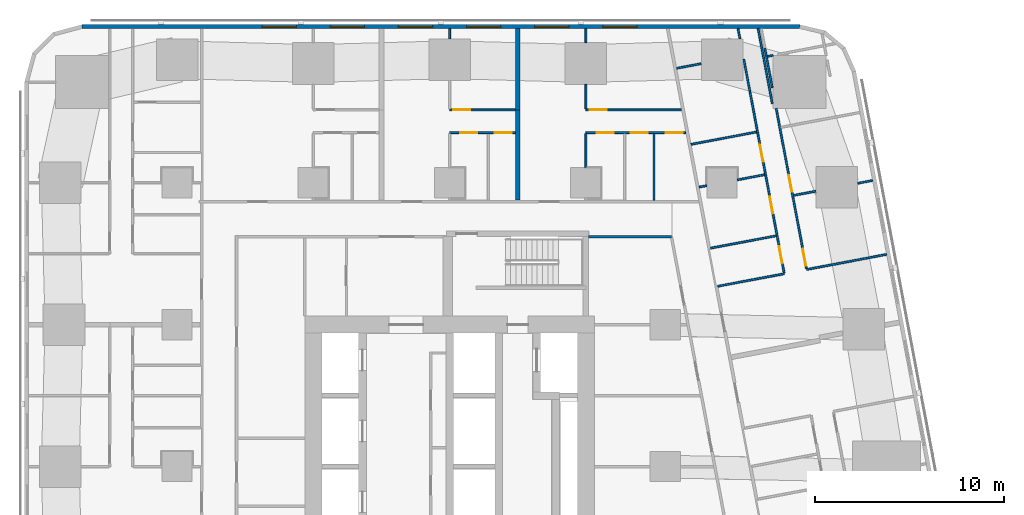
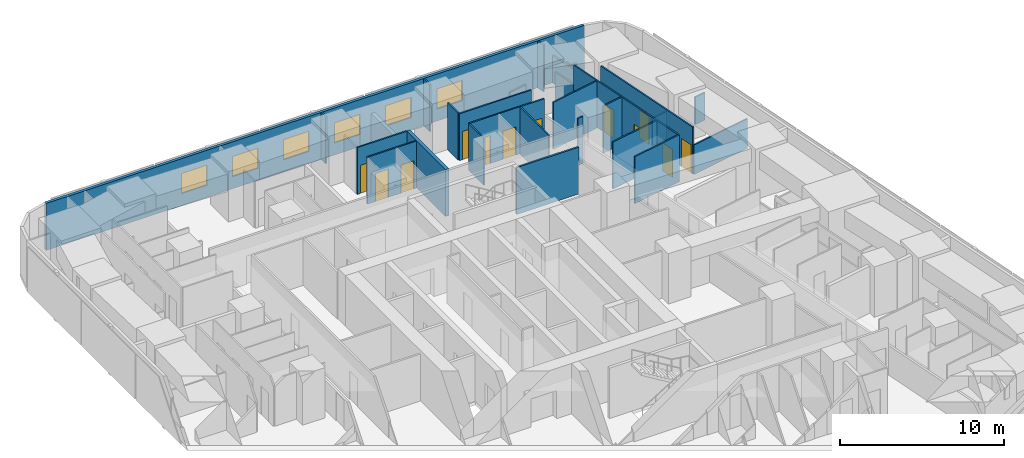
# One storey, part 11 of 16: 29 walls, 12 doors, 6 windows, 18 openings.
"""IFC4 building model written with IfcOpenShell, lengths in metres."""

from ifc_helpers import new_model, si_unit, direction, frame, frame_2d, origin, place, context, subcontext, project, spatial, rectangle, extrude, material, layer, layer_set, type_object, element, fill, save


model = new_model("IFC4")

# Units and contexts
model_context = context("Model", 3, precision=1e-05, world=origin(), true_north=direction((0.0, 1.0)))
body_context = subcontext(model_context, "Body", "Model", "MODEL_VIEW")
ifc_project = project(units=[si_unit("LENGTHUNIT", "METRE"), si_unit("AREAUNIT", "SQUARE_METRE"), si_unit("VOLUMEUNIT", "CUBIC_METRE"), si_unit("PLANEANGLEUNIT", "RADIAN"), si_unit("MASSUNIT", "GRAM", prefix="KILO")], contexts=[model_context])

# Site, building, storey
site_placement = place(None, origin())
site = spatial("IfcSite", under=ifc_project, at=site_placement, CompositionType="ELEMENT")
building_placement = place(site_placement, origin())
building = spatial("IfcBuilding", under=site, at=building_placement, Name="Sheger Commons Tower", CompositionType="ELEMENT")
storey_placement = place(building_placement, frame((0.0, 0.0, 92.89990234375)))
storey = spatial("IfcBuildingStorey", under=building, at=storey_placement, Name="L23", CompositionType="ELEMENT", Elevation=92.89990234375)

# Walls
ifc_material_1 = material(Name="Dense concrete block masonry, plastered both sides (separating wall between flats)", Category="masonry")
ifc_layer_1 = layer(ifc_material_1, 0.25)
ifc_layer_set_1 = layer_set([ifc_layer_1], Name="DEMISING WALL 250")
wall_type_1 = type_object("IfcWallType", Name="DEMISING WALL 250", PredefinedType="SOLIDWALL", material=ifc_layer_set_1)
wall_1_placement = place(storey_placement, frame((25.199951171875, 41.35009765625, 0.0), z_axis=(0.0, 0.0, 1.0), x_axis=(0.0, 1.0, 0.0)))
element("IfcWall", 1, at=wall_1_placement, inside=storey, type_object=wall_type_1, Name="Demising wall L23", PredefinedType="SOLIDWALL", context=body_context, shape_type="SweptSolid", body=[
    extrude(rectangle(XDim=4.2998046875, YDim=0.25, at=frame_2d((2.14990234375, 0.0))), origin(), (0.0, 0.0, 1.0), 2.2001953125),
])
wall_2_placement = place(storey_placement, frame((25.199951171875, 36.574951171875, 0.0), z_axis=(0.0, 0.0, 1.0), x_axis=(0.0, 1.0, 0.0)))
element("IfcWall", 2, at=wall_2_placement, inside=storey, type_object=wall_type_1, Name="Demising wall L23", PredefinedType="SOLIDWALL", context=body_context, shape_type="SweptSolid", body=[
    extrude(rectangle(XDim=4.775146484375, YDim=0.25, at=frame_2d((2.3876953125, 0.0))), origin(), (0.0, 0.0, 1.0), 3.5),
])

# Wall, openings, windows
ifc_material_2 = material(Name="Rendered concrete block masonry, dark grey", Category="masonry")
ifc_layer_2 = layer(ifc_material_2, 0.199951171875)
ifc_layer_set_2 = layer_set([ifc_layer_2], Name="FACADE WALL 200")
wall_type_2 = type_object("IfcWallType", Name="FACADE WALL 200", PredefinedType="SOLIDWALL", material=ifc_layer_set_2)
wall_3_placement = place(storey_placement, frame((40.10595703125, 45.75, 0.0), z_axis=(0.0, 0.0, 1.0), x_axis=(-1.0, 0.0, 0.0)))
wall_3 = element("IfcWall", 3, at=wall_3_placement, inside=storey, type_object=wall_type_2, Name="Facade wall L23", PredefinedType="SOLIDWALL", context=body_context, shape_type="SweptSolid", body=[
    extrude(rectangle(XDim=37.94287109375, YDim=0.199951171875, at=frame_2d((18.971435546875, 0.0))), origin(), (0.0, 0.0, 1.0), 3.5),
])
opening_1_placement = place(wall_3_placement, frame((8.60595703125, 0.0, 0.89990234375)))
opening_1 = element("IfcOpeningElement", 4, at=opening_1_placement, cuts=wall_3, Name="Opening W2", PredefinedType="OPENING", context=body_context, shape_type="SweptSolid", body=[
    extrude(rectangle(XDim=1.800048828125, YDim=1.5, at=frame_2d((0.89990234375, 0.75))), frame((0.0, 0.10986328125, 0.0), z_axis=(0.0, -1.0, 0.0), x_axis=(1.0, 0.0, 0.0)), (0.0, 0.0, 1.0), 0.219970703125),
])
opening_2_placement = place(wall_3_placement, frame((12.2060546875, 0.0, 0.89990234375)))
opening_2 = element("IfcOpeningElement", 5, at=opening_2_placement, cuts=wall_3, Name="Opening W2", PredefinedType="OPENING", context=body_context, shape_type="SweptSolid", body=[
    extrude(rectangle(XDim=1.800048828125, YDim=1.5, at=frame_2d((0.89990234375, 0.75))), frame((0.0, 0.10986328125, 0.0), z_axis=(0.0, -1.0, 0.0), x_axis=(1.0, 0.0, 0.0)), (0.0, 0.0, 1.0), 0.219970703125),
])
opening_3_placement = place(wall_3_placement, frame((15.805908203125, 0.0, 0.89990234375)))
opening_3 = element("IfcOpeningElement", 6, at=opening_3_placement, cuts=wall_3, Name="Opening W2", PredefinedType="OPENING", context=body_context, shape_type="SweptSolid", body=[
    extrude(rectangle(XDim=1.800048828125, YDim=1.5, at=frame_2d((0.89990234375, 0.75))), frame((0.0, 0.10986328125, 0.0), z_axis=(0.0, -1.0, 0.0), x_axis=(1.0, 0.0, 0.0)), (0.0, 0.0, 1.0), 0.219970703125),
])
opening_4_placement = place(wall_3_placement, frame((19.406005859375, 0.0, 0.89990234375)))
opening_4 = element("IfcOpeningElement", 7, at=opening_4_placement, cuts=wall_3, Name="Opening W2", PredefinedType="OPENING", context=body_context, shape_type="SweptSolid", body=[
    extrude(rectangle(XDim=1.800048828125, YDim=1.5, at=frame_2d((0.89990234375, 0.75))), frame((0.0, 0.10986328125, 0.0), z_axis=(0.0, -1.0, 0.0), x_axis=(1.0, 0.0, 0.0)), (0.0, 0.0, 1.0), 0.219970703125),
])
opening_5_placement = place(wall_3_placement, frame((23.006103515625, 0.0, 0.89990234375)))
opening_5 = element("IfcOpeningElement", 8, at=opening_5_placement, cuts=wall_3, Name="Opening W2", PredefinedType="OPENING", context=body_context, shape_type="SweptSolid", body=[
    extrude(rectangle(XDim=1.800048828125, YDim=1.5, at=frame_2d((0.89990234375, 0.75))), frame((0.0, 0.10986328125, 0.0), z_axis=(0.0, -1.0, 0.0), x_axis=(1.0, 0.0, 0.0)), (0.0, 0.0, 1.0), 0.219970703125),
])
opening_6_placement = place(wall_3_placement, frame((26.60595703125, 0.0, 0.89990234375)))
opening_6 = element("IfcOpeningElement", 9, at=opening_6_placement, cuts=wall_3, Name="Opening W2", PredefinedType="OPENING", context=body_context, shape_type="SweptSolid", body=[
    extrude(rectangle(XDim=1.800048828125, YDim=1.5, at=frame_2d((0.89990234375, 0.75))), frame((0.0, 0.10986328125, 0.0), z_axis=(0.0, -1.0, 0.0), x_axis=(1.0, 0.0, 0.0)), (0.0, 0.0, 1.0), 0.219970703125),
])
ifc_material_3 = material(Name="Black aluminium frame, dark tinted double glazing", Category="aluminium")
window_type = type_object("IfcWindowType", Name="WINDOW W2 1800x1500", PartitioningType="SINGLE_PANEL", PredefinedType="WINDOW", material=ifc_material_3)
window_1_placement = place(opening_1_placement, origin())
window_1 = element("IfcWindow", 10, at=window_1_placement, inside=storey, type_object=window_type, Name="Window W2 1800X1500", OverallHeight=1.5, OverallWidth=1.800048828125, PartitioningType="SINGLE_PANEL", PredefinedType="WINDOW", context=body_context, shape_type="SweptSolid", body=[
    extrude(rectangle(XDim=1.800048828125, YDim=1.5, at=frame_2d((0.89990234375, 0.75))), frame((0.0, 0.030029296875, 0.0), z_axis=(0.0, -1.0, 0.0), x_axis=(1.0, 0.0, 0.0)), (0.0, 0.0, 1.0), 0.06005859375),
])
fill(opening_1, window_1)
window_2_placement = place(opening_2_placement, origin())
window_2 = element("IfcWindow", 11, at=window_2_placement, inside=storey, type_object=window_type, Name="Window W2 1800X1500", OverallHeight=1.5, OverallWidth=1.800048828125, PartitioningType="SINGLE_PANEL", PredefinedType="WINDOW", context=body_context, shape_type="SweptSolid", body=[
    extrude(rectangle(XDim=1.800048828125, YDim=1.5, at=frame_2d((0.89990234375, 0.75))), frame((0.0, 0.030029296875, 0.0), z_axis=(0.0, -1.0, 0.0), x_axis=(1.0, 0.0, 0.0)), (0.0, 0.0, 1.0), 0.06005859375),
])
fill(opening_2, window_2)
window_3_placement = place(opening_3_placement, origin())
window_3 = element("IfcWindow", 12, at=window_3_placement, inside=storey, type_object=window_type, Name="Window W2 1800X1500", OverallHeight=1.5, OverallWidth=1.800048828125, PartitioningType="SINGLE_PANEL", PredefinedType="WINDOW", context=body_context, shape_type="SweptSolid", body=[
    extrude(rectangle(XDim=1.800048828125, YDim=1.5, at=frame_2d((0.89990234375, 0.75))), frame((0.0, 0.030029296875, 0.0), z_axis=(0.0, -1.0, 0.0), x_axis=(1.0, 0.0, 0.0)), (0.0, 0.0, 1.0), 0.06005859375),
])
fill(opening_3, window_3)
window_4_placement = place(opening_4_placement, origin())
window_4 = element("IfcWindow", 13, at=window_4_placement, inside=storey, type_object=window_type, Name="Window W2 1800X1500", OverallHeight=1.5, OverallWidth=1.800048828125, PartitioningType="SINGLE_PANEL", PredefinedType="WINDOW", context=body_context, shape_type="SweptSolid", body=[
    extrude(rectangle(XDim=1.800048828125, YDim=1.5, at=frame_2d((0.89990234375, 0.75))), frame((0.0, 0.030029296875, 0.0), z_axis=(0.0, -1.0, 0.0), x_axis=(1.0, 0.0, 0.0)), (0.0, 0.0, 1.0), 0.06005859375),
])
fill(opening_4, window_4)
window_5_placement = place(opening_5_placement, origin())
window_5 = element("IfcWindow", 14, at=window_5_placement, inside=storey, type_object=window_type, Name="Window W2 1800X1500", OverallHeight=1.5, OverallWidth=1.800048828125, PartitioningType="SINGLE_PANEL", PredefinedType="WINDOW", context=body_context, shape_type="SweptSolid", body=[
    extrude(rectangle(XDim=1.800048828125, YDim=1.5, at=frame_2d((0.89990234375, 0.75))), frame((0.0, 0.030029296875, 0.0), z_axis=(0.0, -1.0, 0.0), x_axis=(1.0, 0.0, 0.0)), (0.0, 0.0, 1.0), 0.06005859375),
])
fill(opening_5, window_5)
window_6_placement = place(opening_6_placement, origin())
window_6 = element("IfcWindow", 15, at=window_6_placement, inside=storey, type_object=window_type, Name="Window W2 1800X1500", OverallHeight=1.5, OverallWidth=1.800048828125, PartitioningType="SINGLE_PANEL", PredefinedType="WINDOW", context=body_context, shape_type="SweptSolid", body=[
    extrude(rectangle(XDim=1.800048828125, YDim=1.5, at=frame_2d((0.89990234375, 0.75))), frame((0.0, 0.030029296875, 0.0), z_axis=(0.0, -1.0, 0.0), x_axis=(1.0, 0.0, 0.0)), (0.0, 0.0, 1.0), 0.06005859375),
])
fill(opening_6, window_6)

# Walls
ifc_material_4 = material(Name="Gypsum board on steel studs", Category="steel")
ifc_layer_3 = layer(ifc_material_4, 0.10009765625)
ifc_layer_set_3 = layer_set([ifc_layer_3], Name="PARTITION 100")
wall_type_3 = type_object("IfcWallType", Name="PARTITION 100", PredefinedType="PARTITIONING", material=ifc_layer_set_3)
wall_4_placement = place(storey_placement, frame((38.654052734375, 41.68603515625, 0.0), z_axis=(0.0, 0.0, 1.0), x_axis=(-0.185676896978, 0.982610853761, 0.0)))
element("IfcWall", 16, at=wall_4_placement, inside=storey, type_object=wall_type_3, Name="Partition L23", PredefinedType="PARTITIONING", context=body_context, shape_type="SweptSolid", body=[
    extrude(rectangle(XDim=4.033935546875, YDim=0.10009765625, at=frame_2d((2.01708984375, 0.0))), origin(), (0.0, 0.0, 1.0), 2.050048828125),
])
wall_5_placement = place(storey_placement, frame((38.256103515625, 44.6279296875, 0.0), z_axis=(0.0, 0.0, 1.0), x_axis=(0.185757524649, -0.982595614704, 0.0)))
element("IfcWall", 17, at=wall_5_placement, inside=storey, type_object=wall_type_3, Name="Partition L23", PredefinedType="PARTITIONING", context=body_context, shape_type="SweptSolid", body=[
    extrude(rectangle(XDim=2.136962890625, YDim=0.10009765625, at=frame_2d((1.068359375, 0.0))), origin(), (0.0, 0.0, 1.0), 2.050048828125),
])

# Wall, openings, doors
wall_6_placement = place(storey_placement, frame((38.862060546875, 41.419921875, 0.0), z_axis=(0.0, 0.0, 1.0), x_axis=(0.185574815416, -0.982630137887, 0.0)))
wall_6 = element("IfcWall", 18, at=wall_6_placement, inside=storey, type_object=wall_type_3, Name="Partition L23", PredefinedType="PARTITIONING", context=body_context, shape_type="SweptSolid", body=[
    extrude(rectangle(XDim=8.605224609375, YDim=0.10009765625, at=frame_2d((4.302734375, 0.0))), origin(), (0.0, 0.0, 1.0), 3.5),
])
opening_7_placement = place(wall_6_placement, frame((7.554931640625, 0.0, 0.0)))
opening_7 = element("IfcOpeningElement", 19, at=opening_7_placement, cuts=wall_6, Name="Opening D2", PredefinedType="OPENING", context=body_context, shape_type="SweptSolid", body=[
    extrude(rectangle(XDim=0.89990234375, YDim=2.10009765625, at=frame_2d((0.449951171875, 1.050048828125))), frame((0.0, 0.06005859375, 0.0), z_axis=(0.0, -1.0, 0.0), x_axis=(1.0, 0.0, 0.0)), (0.0, 0.0, 1.0), 0.1201171875),
])
opening_8_placement = place(wall_6_placement, frame((3.5791015625, 0.0, 0.0)))
opening_8 = element("IfcOpeningElement", 20, at=opening_8_placement, cuts=wall_6, Name="Opening D2", PredefinedType="OPENING", context=body_context, shape_type="SweptSolid", body=[
    extrude(rectangle(XDim=0.89990234375, YDim=2.10009765625, at=frame_2d((0.449951171875, 1.050048828125))), frame((0.0, 0.06005859375, 0.0), z_axis=(0.0, -1.0, 0.0), x_axis=(1.0, 0.0, 0.0)), (0.0, 0.0, 1.0), 0.1201171875),
])
ifc_material_5 = material(Name="Timber door set", Category="wood")
door_type = type_object("IfcDoorType", Name="INTERNAL DOOR 900x2100", OperationType="NOTDEFINED", PredefinedType="DOOR", material=ifc_material_5)
door_1_placement = place(opening_7_placement, origin())
door_1 = element("IfcDoor", 21, at=door_1_placement, inside=storey, type_object=door_type, Name="Main bedroom door", OperationType="SINGLE_SWING_RIGHT", OverallHeight=2.10009765625, OverallWidth=0.89990234375, PredefinedType="DOOR", context=body_context, shape_type="SweptSolid", body=[
    extrude(rectangle(XDim=0.89990234375, YDim=2.10009765625, at=frame_2d((0.449951171875, 1.050048828125))), frame((0.0, 0.02490234375, 0.0), z_axis=(0.0, -1.0, 0.0), x_axis=(1.0, 0.0, 0.0)), (0.0, 0.0, 1.0), 0.050048828125),
])
fill(opening_7, door_1)
door_2_placement = place(opening_8_placement, origin())
door_2 = element("IfcDoor", 22, at=door_2_placement, inside=storey, type_object=door_type, Name="Bedroom 2 door", OperationType="SINGLE_SWING_RIGHT", OverallHeight=2.10009765625, OverallWidth=0.89990234375, PredefinedType="DOOR", context=body_context, shape_type="SweptSolid", body=[
    extrude(rectangle(XDim=0.89990234375, YDim=2.10009765625, at=frame_2d((0.449951171875, 1.050048828125))), frame((0.0, 0.02490234375, 0.0), z_axis=(0.0, -1.0, 0.0), x_axis=(1.0, 0.0, 0.0)), (0.0, 0.0, 1.0), 0.050048828125),
])
fill(opening_8, door_2)

# Walls
wall_7_placement = place(storey_placement, frame((36.842041015625, 45.64990234375, 0.0), z_axis=(0.0, 0.0, 1.0), x_axis=(0.185764109712, -0.98259436979, 0.0)))
element("IfcWall", 23, at=wall_7_placement, inside=storey, type_object=wall_type_3, Name="Partition L23", PredefinedType="PARTITIONING", context=body_context, shape_type="SweptSolid", body=[
    extrude(rectangle(XDim=0.54931640625, YDim=0.10009765625, at=frame_2d((0.274658203125, 0.0))), origin(), (0.0, 0.0, 1.0), 3.5),
])
wall_8_placement = place(storey_placement, frame((37.14892578125, 44.02197265625, 0.0), z_axis=(0.0, 0.0, 1.0), x_axis=(0.185844162065, -0.982579232137, 0.0)))
element("IfcWall", 24, at=wall_8_placement, inside=storey, type_object=wall_type_3, Name="Partition L23", PredefinedType="PARTITIONING", context=body_context, shape_type="SweptSolid", body=[
    extrude(rectangle(XDim=1.7431640625, YDim=0.10009765625, at=frame_2d((0.87158203125, 0.0))), origin(), (0.0, 0.0, 1.0), 2.050048828125),
])

# Wall, openings, doors
wall_9_placement = place(storey_placement, frame((37.472900390625, 42.30908203125, 0.0), z_axis=(0.0, 0.0, 1.0), x_axis=(0.185491912953, -0.982645790827, 0.0)))
wall_9 = element("IfcWall", 25, at=wall_9_placement, inside=storey, type_object=wall_type_3, Name="Partition L23", PredefinedType="PARTITIONING", context=body_context, shape_type="SweptSolid", body=[
    extrude(rectangle(XDim=9.737060546875, YDim=0.10009765625, at=frame_2d((4.86865234375, 0.0))), origin(), (0.0, 0.0, 1.0), 3.5),
])
opening_9_placement = place(wall_9_placement, frame((8.31201171875, 0.0, 0.0)))
opening_9 = element("IfcOpeningElement", 26, at=opening_9_placement, cuts=wall_9, Name="Opening D2", PredefinedType="OPENING", context=body_context, shape_type="SweptSolid", body=[
    extrude(rectangle(XDim=0.89990234375, YDim=2.10009765625, at=frame_2d((0.449951171875, 1.050048828125))), frame((0.0, 0.06005859375, 0.0), z_axis=(0.0, -1.0, 0.0), x_axis=(1.0, 0.0, 0.0)), (0.0, 0.0, 1.0), 0.1201171875),
])
opening_10_placement = place(wall_9_placement, frame((2.85302734375, 0.0, 0.0)))
opening_10 = element("IfcOpeningElement", 27, at=opening_10_placement, cuts=wall_9, Name="Opening D2", PredefinedType="OPENING", context=body_context, shape_type="SweptSolid", body=[
    extrude(rectangle(XDim=0.89990234375, YDim=2.10009765625, at=frame_2d((0.449951171875, 1.050048828125))), frame((0.0, 0.06005859375, 0.0), z_axis=(0.0, -1.0, 0.0), x_axis=(1.0, 0.0, 0.0)), (0.0, 0.0, 1.0), 0.1201171875),
])
opening_11_placement = place(wall_9_placement, frame((5.64404296875, 0.0, 0.0)))
opening_11 = element("IfcOpeningElement", 28, at=opening_11_placement, cuts=wall_9, Name="Opening D2", PredefinedType="OPENING", context=body_context, shape_type="SweptSolid", body=[
    extrude(rectangle(XDim=0.89990234375, YDim=2.10009765625, at=frame_2d((0.449951171875, 1.050048828125))), frame((0.0, 0.06005859375, 0.0), z_axis=(0.0, -1.0, 0.0), x_axis=(1.0, 0.0, 0.0)), (0.0, 0.0, 1.0), 0.1201171875),
])
door_3_placement = place(opening_9_placement, origin())
door_3 = element("IfcDoor", 29, at=door_3_placement, inside=storey, type_object=door_type, Name="Bathroom door", OperationType="SINGLE_SWING_LEFT", OverallHeight=2.10009765625, OverallWidth=0.89990234375, PredefinedType="DOOR", context=body_context, shape_type="SweptSolid", body=[
    extrude(rectangle(XDim=0.89990234375, YDim=2.10009765625, at=frame_2d((0.449951171875, 1.050048828125))), frame((0.0, 0.02490234375, 0.0), z_axis=(0.0, -1.0, 0.0), x_axis=(1.0, 0.0, 0.0)), (0.0, 0.0, 1.0), 0.050048828125),
])
fill(opening_9, door_3)
door_4_placement = place(opening_10_placement, origin())
door_4 = element("IfcDoor", 30, at=door_4_placement, inside=storey, type_object=door_type, Name="Laundry room door", OperationType="SINGLE_SWING_RIGHT", OverallHeight=2.10009765625, OverallWidth=0.89990234375, PredefinedType="DOOR", context=body_context, shape_type="SweptSolid", body=[
    extrude(rectangle(XDim=0.89990234375, YDim=2.10009765625, at=frame_2d((0.449951171875, 1.050048828125))), frame((0.0, 0.02490234375, 0.0), z_axis=(0.0, -1.0, 0.0), x_axis=(1.0, 0.0, 0.0)), (0.0, 0.0, 1.0), 0.050048828125),
])
fill(opening_10, door_4)
door_5_placement = place(opening_11_placement, origin())
door_5 = element("IfcDoor", 31, at=door_5_placement, inside=storey, type_object=door_type, Name="Store door", OperationType="SINGLE_SWING_RIGHT", OverallHeight=2.10009765625, OverallWidth=0.89990234375, PredefinedType="DOOR", context=body_context, shape_type="SweptSolid", body=[
    extrude(rectangle(XDim=0.89990234375, YDim=2.10009765625, at=frame_2d((0.449951171875, 1.050048828125))), frame((0.0, 0.02490234375, 0.0), z_axis=(0.0, -1.0, 0.0), x_axis=(1.0, 0.0, 0.0)), (0.0, 0.0, 1.0), 0.050048828125),
])
fill(opening_11, door_5)

# Walls
wall_10_placement = place(storey_placement, frame((38.69189453125, 44.22998046875, 0.0), z_axis=(0.0, 0.0, 1.0), x_axis=(-0.982944840311, -0.183900627803, 0.0)))
element("IfcWall", 32, at=wall_10_placement, inside=storey, type_object=wall_type_3, Name="Partition L23", PredefinedType="PARTITIONING", context=body_context, shape_type="SweptSolid", body=[
    extrude(rectangle(XDim=0.303955078125, YDim=0.10009765625, at=frame_2d((0.15185546875, 0.0))), origin(), (0.0, 0.0, 1.0), 2.050048828125),
])
wall_11_placement = place(storey_placement, frame((43.955078125, 37.6201171875, 0.0), z_axis=(0.0, 0.0, 1.0), x_axis=(-0.98247004097, -0.186420542316, 0.0)))
element("IfcWall", 33, at=wall_11_placement, inside=storey, type_object=wall_type_3, Name="Partition L23", PredefinedType="PARTITIONING", context=body_context, shape_type="SweptSolid", body=[
    extrude(rectangle(XDim=0.794921875, YDim=0.10009765625, at=frame_2d((0.3974609375, 0.0))), origin(), (0.0, 0.0, 1.0), 2.050048828125),
])
wall_12_placement = place(storey_placement, frame((40.9541015625, 37.052978515625, 0.0), z_axis=(0.0, 0.0, 1.0), x_axis=(-0.982628652346, -0.185582681276, 0.0)))
element("IfcWall", 34, at=wall_12_placement, inside=storey, type_object=wall_type_3, Name="Partition L23", PredefinedType="PARTITIONING", context=body_context, shape_type="SweptSolid", body=[
    extrude(rectangle(XDim=1.19580078125, YDim=0.10009765625, at=frame_2d((0.597900390625, 0.0))), origin(), (0.0, 0.0, 1.0), 2.050048828125),
])
wall_13_placement = place(storey_placement, frame((44.693115234375, 33.712890625, 0.0), z_axis=(0.0, 0.0, 1.0), x_axis=(-0.982633535512, -0.185556823879, 0.0)))
element("IfcWall", 35, at=wall_13_placement, inside=storey, type_object=wall_type_3, Name="Partition L23", PredefinedType="PARTITIONING", context=body_context, shape_type="SweptSolid", body=[
    extrude(rectangle(XDim=4.2998046875, YDim=0.10009765625, at=frame_2d((2.14990234375, 0.0))), origin(), (0.0, 0.0, 1.0), 2.2001953125),
])
wall_14_placement = place(storey_placement, frame((34.889892578125, 43.7900390625, 0.0), z_axis=(0.0, 0.0, 1.0), x_axis=(-0.982696831521, -0.185221319826, 0.0)))
element("IfcWall", 36, at=wall_14_placement, inside=storey, type_object=wall_type_3, Name="Partition L23", PredefinedType="PARTITIONING", context=body_context, shape_type="SweptSolid", body=[
    extrude(rectangle(XDim=1.3115234375, YDim=0.10009765625, at=frame_2d((0.65576171875, 0.0))), origin(), (0.0, 0.0, 1.0), 2.050048828125),
])
wall_15_placement = place(storey_placement, frame((37.822998046875, 40.181884765625, 0.0), z_axis=(0.0, 0.0, 1.0), x_axis=(-0.98263926043, -0.185526504472, 0.0)))
element("IfcWall", 37, at=wall_15_placement, inside=storey, type_object=wall_type_3, Name="Partition L23", PredefinedType="PARTITIONING", context=body_context, shape_type="SweptSolid", body=[
    extrude(rectangle(XDim=3.524169921875, YDim=0.10009765625, at=frame_2d((1.76220703125, 0.0))), origin(), (0.0, 0.0, 1.0), 3.5),
])
wall_16_placement = place(storey_placement, frame((38.25, 37.925048828125, 0.0), z_axis=(0.0, 0.0, 1.0), x_axis=(-0.982626127294, -0.185596050493, 0.0)))
element("IfcWall", 38, at=wall_16_placement, inside=storey, type_object=wall_type_3, Name="Partition L23", PredefinedType="PARTITIONING", context=body_context, shape_type="SweptSolid", body=[
    extrude(rectangle(XDim=1.46533203125, YDim=0.10009765625, at=frame_2d((0.732666015625, 0.0))), origin(), (0.0, 0.0, 1.0), 3.5),
])
wall_17_placement = place(storey_placement, frame((35.18994140625, 37.346923828125, 0.0), z_axis=(0.0, 0.0, 1.0), x_axis=(-0.982798158448, -0.184682916784, 0.0)))
element("IfcWall", 39, at=wall_17_placement, inside=storey, type_object=wall_type_3, Name="Partition L23", PredefinedType="PARTITIONING", context=body_context, shape_type="SweptSolid", body=[
    extrude(rectangle(XDim=0.4111328125, YDim=0.10009765625, at=frame_2d((0.20556640625, 0.0))), origin(), (0.0, 0.0, 1.0), 3.5),
])
wall_18_placement = place(storey_placement, frame((39.2890625, 32.69189453125, 0.0), z_axis=(0.0, 0.0, 1.0), x_axis=(-0.982662827464, -0.185401638399, 0.0)))
element("IfcWall", 40, at=wall_18_placement, inside=storey, type_object=wall_type_3, Name="Partition L23", PredefinedType="PARTITIONING", context=body_context, shape_type="SweptSolid", body=[
    extrude(rectangle(XDim=3.5751953125, YDim=0.10009765625, at=frame_2d((1.78759765625, 0.0))), origin(), (0.0, 0.0, 1.0), 3.5),
])
wall_19_placement = place(storey_placement, frame((38.85888671875, 34.697021484375, 0.0), z_axis=(0.0, 0.0, 1.0), x_axis=(-0.982626628545, -0.185593396635, 0.0)))
element("IfcWall", 41, at=wall_19_placement, inside=storey, type_object=wall_type_3, Name="Partition L23", PredefinedType="PARTITIONING", context=body_context, shape_type="SweptSolid", body=[
    extrude(rectangle(XDim=3.524169921875, YDim=0.10009765625, at=frame_2d((1.76220703125, 0.0))), origin(), (0.0, 0.0, 1.0), 3.5),
])

# Wall, opening, door
wall_20_placement = place(storey_placement, frame((21.60009765625, 41.35009765625, 0.0), z_axis=(0.0, 0.0, 1.0), x_axis=(1.0, 0.0, 0.0)))
wall_20 = element("IfcWall", 42, at=wall_20_placement, inside=storey, type_object=wall_type_3, Name="Partition L23", PredefinedType="PARTITIONING", context=body_context, shape_type="SweptSolid", body=[
    extrude(rectangle(XDim=3.474853515625, YDim=0.10009765625, at=frame_2d((1.7373046875, 0.0))), origin(), (0.0, 0.0, 1.0), 3.5),
])
opening_12_placement = place(wall_20_placement, frame((0.199951171875, 0.0, 0.0)))
opening_12 = element("IfcOpeningElement", 43, at=opening_12_placement, cuts=wall_20, Name="Opening D2", PredefinedType="OPENING", context=body_context, shape_type="SweptSolid", body=[
    extrude(rectangle(XDim=0.89990234375, YDim=2.10009765625, at=frame_2d((0.449951171875, 1.050048828125))), frame((0.0, 0.06005859375, 0.0), z_axis=(0.0, -1.0, 0.0), x_axis=(1.0, 0.0, 0.0)), (0.0, 0.0, 1.0), 0.1201171875),
])
door_6_placement = place(opening_12_placement, origin())
door_6 = element("IfcDoor", 44, at=door_6_placement, inside=storey, type_object=door_type, Name="Main bedroom door", OperationType="SINGLE_SWING_LEFT", OverallHeight=2.10009765625, OverallWidth=0.89990234375, PredefinedType="DOOR", context=body_context, shape_type="SweptSolid", body=[
    extrude(rectangle(XDim=0.89990234375, YDim=2.10009765625, at=frame_2d((0.449951171875, 1.050048828125))), frame((0.0, 0.02490234375, 0.0), z_axis=(0.0, -1.0, 0.0), x_axis=(1.0, 0.0, 0.0)), (0.0, 0.0, 1.0), 0.050048828125),
])
fill(opening_12, door_6)

# Wall, openings, doors
wall_21_placement = place(storey_placement, frame((21.60009765625, 40.14990234375, 0.0), z_axis=(0.0, 0.0, 1.0), x_axis=(1.0, 0.0, 0.0)))
wall_21 = element("IfcWall", 45, at=wall_21_placement, inside=storey, type_object=wall_type_3, Name="Partition L23", PredefinedType="PARTITIONING", context=body_context, shape_type="SweptSolid", body=[
    extrude(rectangle(XDim=3.474853515625, YDim=0.10009765625, at=frame_2d((1.7373046875, 0.0))), origin(), (0.0, 0.0, 1.0), 3.5),
])
opening_13_placement = place(wall_21_placement, frame((0.574951171875, 0.0, 0.0)))
opening_13 = element("IfcOpeningElement", 46, at=opening_13_placement, cuts=wall_21, Name="Opening D2", PredefinedType="OPENING", context=body_context, shape_type="SweptSolid", body=[
    extrude(rectangle(XDim=0.89990234375, YDim=2.10009765625, at=frame_2d((0.449951171875, 1.050048828125))), frame((0.0, 0.06005859375, 0.0), z_axis=(0.0, -1.0, 0.0), x_axis=(1.0, 0.0, 0.0)), (0.0, 0.0, 1.0), 0.1201171875),
])
opening_14_placement = place(wall_21_placement, frame((2.375, 0.0, 0.0)))
opening_14 = element("IfcOpeningElement", 47, at=opening_14_placement, cuts=wall_21, Name="Opening D2", PredefinedType="OPENING", context=body_context, shape_type="SweptSolid", body=[
    extrude(rectangle(XDim=0.89990234375, YDim=2.10009765625, at=frame_2d((0.449951171875, 1.050048828125))), frame((0.0, 0.06005859375, 0.0), z_axis=(0.0, -1.0, 0.0), x_axis=(1.0, 0.0, 0.0)), (0.0, 0.0, 1.0), 0.1201171875),
])
door_7_placement = place(opening_13_placement, origin())
door_7 = element("IfcDoor", 48, at=door_7_placement, inside=storey, type_object=door_type, Name="Bathroom door", OperationType="SINGLE_SWING_RIGHT", OverallHeight=2.10009765625, OverallWidth=0.89990234375, PredefinedType="DOOR", context=body_context, shape_type="SweptSolid", body=[
    extrude(rectangle(XDim=0.89990234375, YDim=2.10009765625, at=frame_2d((0.449951171875, 1.050048828125))), frame((0.0, 0.02490234375, 0.0), z_axis=(0.0, -1.0, 0.0), x_axis=(1.0, 0.0, 0.0)), (0.0, 0.0, 1.0), 0.050048828125),
])
fill(opening_13, door_7)
door_8_placement = place(opening_14_placement, origin())
door_8 = element("IfcDoor", 49, at=door_8_placement, inside=storey, type_object=door_type, Name="Store door", OperationType="SINGLE_SWING_LEFT", OverallHeight=2.10009765625, OverallWidth=0.89990234375, PredefinedType="DOOR", context=body_context, shape_type="SweptSolid", body=[
    extrude(rectangle(XDim=0.89990234375, YDim=2.10009765625, at=frame_2d((0.449951171875, 1.050048828125))), frame((0.0, 0.02490234375, 0.0), z_axis=(0.0, -1.0, 0.0), x_axis=(1.0, 0.0, 0.0)), (0.0, 0.0, 1.0), 0.050048828125),
])
fill(opening_14, door_8)

# Wall
wall_22_placement = place(storey_placement, frame((21.60009765625, 45.10107421875, 0.0), z_axis=(0.0, 0.0, 1.0), x_axis=(0.0, 1.0, 0.0)))
element("IfcWall", 50, at=wall_22_placement, inside=storey, type_object=wall_type_3, Name="Partition L23", PredefinedType="PARTITIONING", context=body_context, shape_type="SweptSolid", body=[
    extrude(rectangle(XDim=0.548828125, YDim=0.10009765625, at=frame_2d((0.2744140625, 0.0))), origin(), (0.0, 0.0, 1.0), 3.5),
])

# Wall, opening, door
wall_23_placement = place(storey_placement, frame((28.800048828125, 41.35009765625, 0.0), z_axis=(0.0, 0.0, 1.0), x_axis=(1.0, 0.0, 0.0)))
wall_23 = element("IfcWall", 51, at=wall_23_placement, inside=storey, type_object=wall_type_3, Name="Partition L23", PredefinedType="PARTITIONING", context=body_context, shape_type="SweptSolid", body=[
    extrude(rectangle(XDim=5.052978515625, YDim=0.10009765625, at=frame_2d((2.5263671875, 0.0))), origin(), (0.0, 0.0, 1.0), 3.5),
])
opening_15_placement = place(wall_23_placement, frame((0.199951171875, 0.0, 0.0)))
opening_15 = element("IfcOpeningElement", 52, at=opening_15_placement, cuts=wall_23, Name="Opening D2", PredefinedType="OPENING", context=body_context, shape_type="SweptSolid", body=[
    extrude(rectangle(XDim=0.89990234375, YDim=2.10009765625, at=frame_2d((0.449951171875, 1.050048828125))), frame((0.0, 0.06005859375, 0.0), z_axis=(0.0, -1.0, 0.0), x_axis=(1.0, 0.0, 0.0)), (0.0, 0.0, 1.0), 0.1201171875),
])
door_9_placement = place(opening_15_placement, origin())
door_9 = element("IfcDoor", 53, at=door_9_placement, inside=storey, type_object=door_type, Name="Main bedroom door", OperationType="SINGLE_SWING_RIGHT", OverallHeight=2.10009765625, OverallWidth=0.89990234375, PredefinedType="DOOR", context=body_context, shape_type="SweptSolid", body=[
    extrude(rectangle(XDim=0.89990234375, YDim=2.10009765625, at=frame_2d((0.449951171875, 1.050048828125))), frame((0.0, 0.02490234375, 0.0), z_axis=(0.0, -1.0, 0.0), x_axis=(1.0, 0.0, 0.0)), (0.0, 0.0, 1.0), 0.050048828125),
])
fill(opening_15, door_9)

# Wall, openings, doors
wall_24_placement = place(storey_placement, frame((28.800048828125, 40.14990234375, 0.0), z_axis=(0.0, 0.0, 1.0), x_axis=(1.0, 0.0, 0.0)))
wall_24 = element("IfcWall", 54, at=wall_24_placement, inside=storey, type_object=wall_type_3, Name="Partition L23", PredefinedType="PARTITIONING", context=body_context, shape_type="SweptSolid", body=[
    extrude(rectangle(XDim=5.280029296875, YDim=0.10009765625, at=frame_2d((2.64013671875, 0.0))), origin(), (0.0, 0.0, 1.0), 3.5),
])
opening_16_placement = place(wall_24_placement, frame((0.574951171875, 0.0, 0.0)))
opening_16 = element("IfcOpeningElement", 55, at=opening_16_placement, cuts=wall_24, Name="Opening D2", PredefinedType="OPENING", context=body_context, shape_type="SweptSolid", body=[
    extrude(rectangle(XDim=0.89990234375, YDim=2.10009765625, at=frame_2d((0.449951171875, 1.050048828125))), frame((0.0, 0.06005859375, 0.0), z_axis=(0.0, -1.0, 0.0), x_axis=(1.0, 0.0, 0.0)), (0.0, 0.0, 1.0), 0.1201171875),
])
opening_17_placement = place(wall_24_placement, frame((4.22998046875, 0.0, 0.0)))
opening_17 = element("IfcOpeningElement", 56, at=opening_17_placement, cuts=wall_24, Name="Opening D2", PredefinedType="OPENING", context=body_context, shape_type="SweptSolid", body=[
    extrude(rectangle(XDim=0.89990234375, YDim=2.10009765625, at=frame_2d((0.449951171875, 1.050048828125))), frame((0.0, 0.06005859375, 0.0), z_axis=(0.0, -1.0, 0.0), x_axis=(1.0, 0.0, 0.0)), (0.0, 0.0, 1.0), 0.1201171875),
])
opening_18_placement = place(wall_24_placement, frame((2.375, 0.0, 0.0)))
opening_18 = element("IfcOpeningElement", 57, at=opening_18_placement, cuts=wall_24, Name="Opening D2", PredefinedType="OPENING", context=body_context, shape_type="SweptSolid", body=[
    extrude(rectangle(XDim=0.89990234375, YDim=2.10009765625, at=frame_2d((0.449951171875, 1.050048828125))), frame((0.0, 0.06005859375, 0.0), z_axis=(0.0, -1.0, 0.0), x_axis=(1.0, 0.0, 0.0)), (0.0, 0.0, 1.0), 0.1201171875),
])
door_10_placement = place(opening_16_placement, origin())
door_10 = element("IfcDoor", 58, at=door_10_placement, inside=storey, type_object=door_type, Name="Bathroom door", OperationType="SINGLE_SWING_RIGHT", OverallHeight=2.10009765625, OverallWidth=0.89990234375, PredefinedType="DOOR", context=body_context, shape_type="SweptSolid", body=[
    extrude(rectangle(XDim=0.89990234375, YDim=2.10009765625, at=frame_2d((0.449951171875, 1.050048828125))), frame((0.0, 0.02490234375, 0.0), z_axis=(0.0, -1.0, 0.0), x_axis=(1.0, 0.0, 0.0)), (0.0, 0.0, 1.0), 0.050048828125),
])
fill(opening_16, door_10)
door_11_placement = place(opening_17_placement, origin())
door_11 = element("IfcDoor", 59, at=door_11_placement, inside=storey, type_object=door_type, Name="Laundry room door", OperationType="SINGLE_SWING_LEFT", OverallHeight=2.10009765625, OverallWidth=0.89990234375, PredefinedType="DOOR", context=body_context, shape_type="SweptSolid", body=[
    extrude(rectangle(XDim=0.89990234375, YDim=2.10009765625, at=frame_2d((0.449951171875, 1.050048828125))), frame((0.0, 0.02490234375, 0.0), z_axis=(0.0, -1.0, 0.0), x_axis=(1.0, 0.0, 0.0)), (0.0, 0.0, 1.0), 0.050048828125),
])
fill(opening_17, door_11)
door_12_placement = place(opening_18_placement, origin())
door_12 = element("IfcDoor", 60, at=door_12_placement, inside=storey, type_object=door_type, Name="Store door", OperationType="SINGLE_SWING_LEFT", OverallHeight=2.10009765625, OverallWidth=0.89990234375, PredefinedType="DOOR", context=body_context, shape_type="SweptSolid", body=[
    extrude(rectangle(XDim=0.89990234375, YDim=2.10009765625, at=frame_2d((0.449951171875, 1.050048828125))), frame((0.0, 0.02490234375, 0.0), z_axis=(0.0, -1.0, 0.0), x_axis=(1.0, 0.0, 0.0)), (0.0, 0.0, 1.0), 0.050048828125),
])
fill(opening_18, door_12)

# Walls
wall_25_placement = place(storey_placement, frame((28.800048828125, 41.39990234375, 0.0), z_axis=(0.0, 0.0, 1.0), x_axis=(0.0, 1.0, 0.0)))
element("IfcWall", 61, at=wall_25_placement, inside=storey, type_object=wall_type_3, Name="Partition L23", PredefinedType="PARTITIONING", context=body_context, shape_type="SweptSolid", body=[
    extrude(rectangle(XDim=1.299072265625, YDim=0.10009765625, at=frame_2d((0.6494140625, 0.0))), origin(), (0.0, 0.0, 1.0), 3.5),
])
wall_26_placement = place(storey_placement, frame((28.800048828125, 44.90087890625, 0.0), z_axis=(0.0, 0.0, 1.0), x_axis=(0.0, 1.0, 0.0)))
element("IfcWall", 62, at=wall_26_placement, inside=storey, type_object=wall_type_3, Name="Partition L23", PredefinedType="PARTITIONING", context=body_context, shape_type="SweptSolid", body=[
    extrude(rectangle(XDim=0.7490234375, YDim=0.10009765625, at=frame_2d((0.37451171875, 0.0))), origin(), (0.0, 0.0, 1.0), 3.5),
])
wall_27_placement = place(storey_placement, frame((28.800048828125, 38.301025390625, 0.0), z_axis=(0.0, 0.0, 1.0), x_axis=(0.0, 1.0, 0.0)))
element("IfcWall", 63, at=wall_27_placement, inside=storey, type_object=wall_type_3, Name="Partition L23", PredefinedType="PARTITIONING", context=body_context, shape_type="SweptSolid", body=[
    extrude(rectangle(XDim=1.799072265625, YDim=0.10009765625, at=frame_2d((0.8994140625, 0.0))), origin(), (0.0, 0.0, 1.0), 3.5),
])
wall_28_placement = place(storey_placement, frame((32.39990234375, 36.574951171875, 0.0), z_axis=(0.0, 0.0, 1.0), x_axis=(0.0, 1.0, 0.0)))
element("IfcWall", 64, at=wall_28_placement, inside=storey, type_object=wall_type_3, Name="Partition L23", PredefinedType="PARTITIONING", context=body_context, shape_type="SweptSolid", body=[
    extrude(rectangle(XDim=3.525146484375, YDim=0.10009765625, at=frame_2d((1.7626953125, 0.0))), origin(), (0.0, 0.0, 1.0), 3.5),
])
ifc_material_6 = material(Name="Gypsum board on steel studs, two layers each side, fire rated", Category="steel")
ifc_layer_4 = layer(ifc_material_6, 0.125)
ifc_layer_set_4 = layer_set([ifc_layer_4], Name="SERVICE WALL 125")
wall_type_4 = type_object("IfcWallType", Name="SERVICE WALL 125", PredefinedType="PARTITIONING", material=ifc_layer_set_4)
wall_29_placement = place(storey_placement, frame((28.949951171875, 34.64990234375, 0.0), z_axis=(0.0, 0.0, 1.0), x_axis=(1.0, 0.0, 0.0)))
element("IfcWall", 65, at=wall_29_placement, inside=storey, type_object=wall_type_4, Name="Service room wall L23", PredefinedType="PARTITIONING", context=body_context, shape_type="SweptSolid", body=[
    extrude(rectangle(XDim=4.381103515625, YDim=0.125, at=frame_2d((2.1904296875, 0.0))), origin(), (0.0, 0.0, 1.0), 3.5),
])

save(model, "model.ifc")
